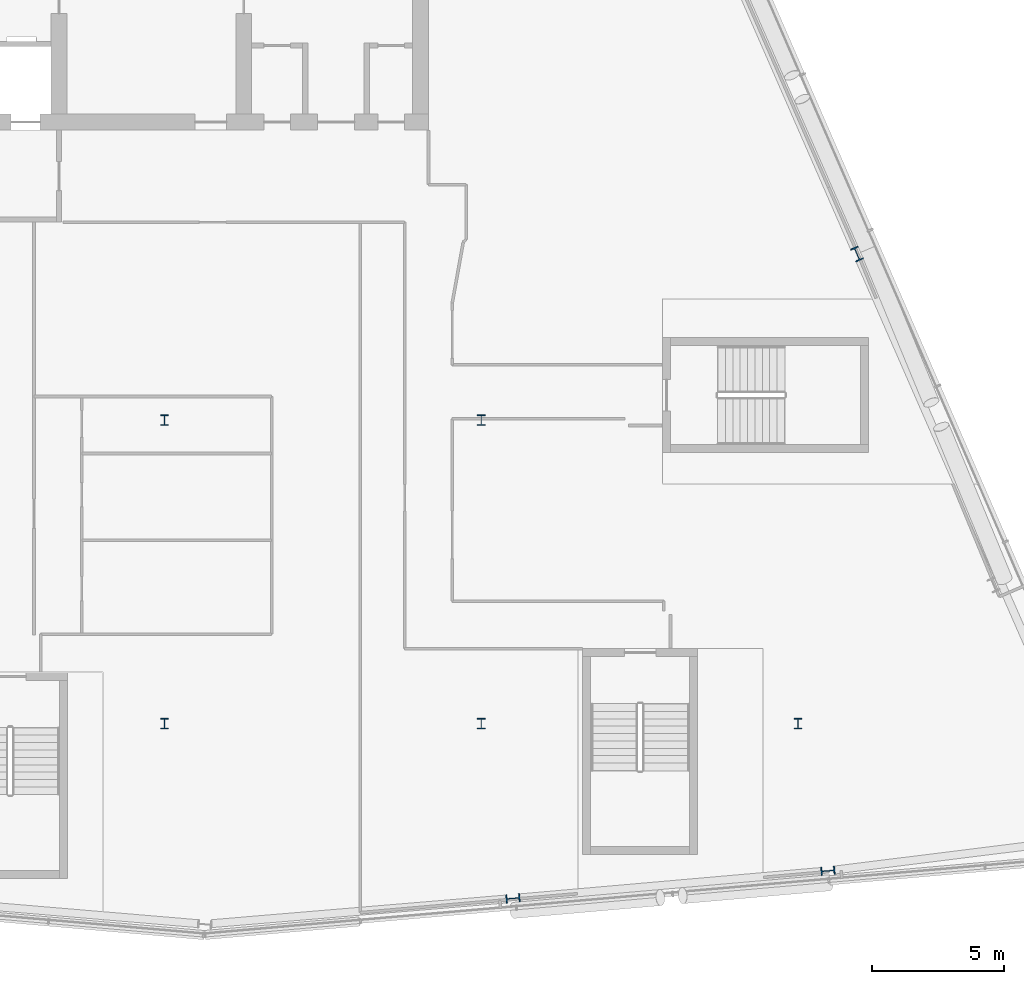
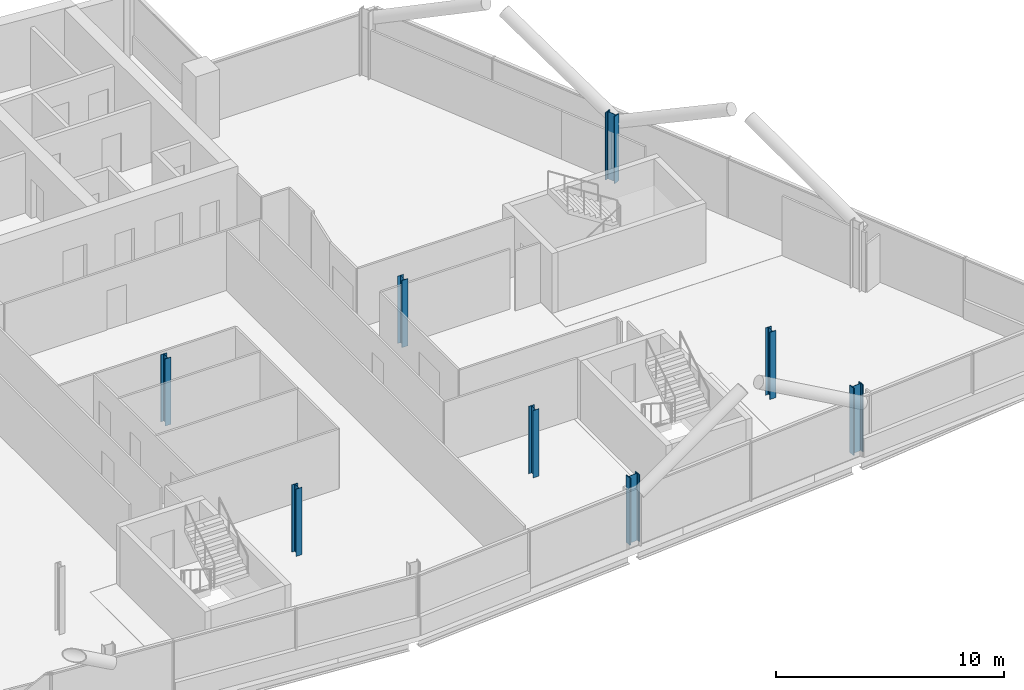
# One storey, part 2 of 25: 8 columns.
"""IFC4 building model written with IfcOpenShell, lengths in metres."""

import ifcopenshell
import ifcopenshell.guid

model = None  # the IFC model being written
_history = None  # IfcOwnerHistory: only IFC2X3 demands one
_inside = {}  # id of a spatial element -> (the spatial element, [elements in it])
_under = {}  # id of a project, library or spatial element -> (it, [spatial elements below it])
_declared = {}  # id of a project -> (the project, [libraries it declares])
_typed = {}  # id of a type object -> (the type object, [elements of that type])
_made_of = {}  # id of a material, layer set ... -> (it, [elements and type objects made of it])


def new_model(schema):
    """Start an empty IFC model of exactly this schema.

    Asked for "IFC4X3", IfcOpenShell would pick the latest addendum, in which some entities
    have other attributes; the version numbers below select the first issue.
    IFC2X3 requires an IfcOwnerHistory on every rooted entity: one is made here for all.
    """
    global model, _history
    if schema == "IFC4X3":
        model = ifcopenshell.file(schema_version=(4, 3, 0, 0))
    else:
        model = ifcopenshell.file(schema=schema)
    _inside.clear()
    _under.clear()
    _declared.clear()
    _typed.clear()
    _made_of.clear()
    _history = None
    if model.schema == "IFC2X3":
        org = make("IfcOrganization", Name="unknown")
        user = make(
            "IfcPersonAndOrganization",
            ThePerson=make("IfcPerson", FamilyName="unknown"),
            TheOrganization=org,
        )
        app = make(
            "IfcApplication",
            ApplicationDeveloper=org,
            Version="unknown",
            ApplicationFullName="unknown",
            ApplicationIdentifier="unknown",
        )
        _history = make(
            "IfcOwnerHistory",
            OwningUser=user,
            OwningApplication=app,
            ChangeAction="ADDED",
            CreationDate=0,
        )
    return model


def make(cls, **values):
    """One entity of the class cls with the attributes given. An attribute that is None is left unset."""
    return model.create_entity(
        cls, **{name: value for name, value in values.items() if value is not None}
    )


def rooted(cls, **values):
    """An entity with a GlobalId (a new one), such as an element, a storey or a relation."""
    return make(cls, GlobalId=ifcopenshell.guid.new(), OwnerHistory=_history, **values)


def si_unit(unit_type, name, prefix=None):
    """IfcSIUnit, for example si_unit("LENGTHUNIT", "METRE", prefix="MILLI")."""
    return make("IfcSIUnit", UnitType=unit_type, Prefix=prefix, Name=name)


def assignment(units):
    """IfcUnitAssignment: the units of a project."""
    return None if units is None else make("IfcUnitAssignment", Units=units)


def point(xyz):
    """IfcCartesianPoint."""
    return None if xyz is None else make("IfcCartesianPoint", Coordinates=xyz)


def direction(xyz):
    """IfcDirection."""
    return None if xyz is None else make("IfcDirection", DirectionRatios=xyz)


def frame(location, z_axis=None, x_axis=None):
    """IfcAxis2Placement3D, a coordinate frame: its origin and axes. An axis left out is left unset."""
    return make(
        "IfcAxis2Placement3D",
        Location=point(location),
        Axis=direction(z_axis),
        RefDirection=direction(x_axis),
    )


def frame_2d(location, x_axis=None):
    """IfcAxis2Placement2D, a coordinate frame in the plane: its origin and x axis."""
    return make(
        "IfcAxis2Placement2D", Location=point(location), RefDirection=direction(x_axis)
    )


def origin():
    """The frame at (0, 0, 0) with its axes left unset."""
    return frame((0.0, 0.0, 0.0))


def origin_2d():
    """The frame at (0, 0) in the plane with its x axis left unset."""
    return frame_2d((0.0, 0.0))


def place(relative_to, where):
    """IfcLocalPlacement: puts the frame where relative to a parent placement (None: the world)."""
    return make(
        "IfcLocalPlacement", PlacementRelTo=relative_to, RelativePlacement=where
    )


def context(
    kind, dimensions, precision=None, world=None, true_north=None, identifier=None
):
    """IfcGeometricRepresentationContext, for example the 3D "Model" context."""
    return make(
        "IfcGeometricRepresentationContext",
        ContextIdentifier=identifier,
        ContextType=kind,
        CoordinateSpaceDimension=dimensions,
        Precision=precision,
        WorldCoordinateSystem=world,
        TrueNorth=true_north,
    )


def subcontext(parent, identifier, kind, view, scale=None):
    """IfcGeometricRepresentationSubContext, for example "Body" below "Model"."""
    return make(
        "IfcGeometricRepresentationSubContext",
        ContextIdentifier=identifier,
        ContextType=kind,
        ParentContext=parent,
        TargetScale=scale,
        TargetView=view,
    )


def project(units=None, contexts=None):
    """IfcProject with its units and contexts."""
    return rooted(
        "IfcProject",
        Name="project",
        RepresentationContexts=contexts,
        UnitsInContext=assignment(units),
    )


def spatial(cls, under=None, at=None, **own):
    """A site, building, storey or space (cls), placed at a placement, below another one or the project."""
    s = rooted(cls, ObjectPlacement=at, **own)
    if under is not None:
        _under.setdefault(under.id(), (under, []))[1].append(s)
    return s


def profile(cls, at=None, kind="AREA", **sizes):
    """A parametric profile (cls). Its sizes go by their IFC names, for example OverallWidth=200.0."""
    return make(cls, ProfileType=kind, Position=at, **sizes)


def i_section(**sizes):
    """IfcIShapeProfileDef."""
    return profile("IfcIShapeProfileDef", **sizes)


def extrude(swept, where, along, depth):
    """IfcExtrudedAreaSolid: the profile swept, set in the frame where, extruded along a direction by depth."""
    return make(
        "IfcExtrudedAreaSolid",
        SweptArea=swept,
        Position=where,
        ExtrudedDirection=direction(along),
        Depth=depth,
    )


def shape(context_of_items, identifier, shape_type, items):
    """IfcShapeRepresentation: the items that make up one representation, for example the "Body"."""
    return make(
        "IfcShapeRepresentation",
        ContextOfItems=context_of_items,
        RepresentationIdentifier=identifier,
        RepresentationType=shape_type,
        Items=items,
    )


def material(Name=None, Category=None):
    """IfcMaterial."""
    return make("IfcMaterial", Name=Name, Category=Category)


def material_profile(
    of_material, cross_section, Name=None, Category=None, Priority=None
):
    """IfcMaterialProfile: a cross section and its material."""
    return make(
        "IfcMaterialProfile",
        Name=Name,
        Material=of_material,
        Profile=cross_section,
        Priority=Priority,
        Category=Category,
    )


def profile_set(profiles, Name=None, composite=None):
    """IfcMaterialProfileSet."""
    return make(
        "IfcMaterialProfileSet",
        Name=Name,
        MaterialProfiles=profiles,
        CompositeProfile=composite,
    )


def made_of(thing, what):
    """Note that an element or type object is made of a material, layer set ...; save() writes the relation."""
    if what is not None:
        _made_of.setdefault(what.id(), (what, []))[1].append(thing)
    return thing


def type_object(cls, material=None, **own):
    """A type object (cls), such as IfcWallType, which elements share."""
    return made_of(rooted(cls, **own), material)


def element(
    cls,
    number,
    at=None,
    inside=None,
    cuts=None,
    type_object=None,
    material=None,
    context=None,
    identifier="Body",
    shape_type=None,
    held_by="IfcProductDefinitionShape",
    body=None,
    shapes=None,
    **own,
):
    """One element of the class cls, such as IfcWall. Its Tag is "e" and its number.

    at: its placement. inside: the storey or other place that contains it. cuts: it is an
    opening in that element (IfcRelVoidsElement). A single representation is given by context,
    identifier, shape_type and body (its items); several are given by shapes. held_by: the class
    of the entity that holds the representations. save() writes the other relations.
    """
    e = rooted(cls, Tag="e%d" % number, ObjectPlacement=at, **own)
    if body is not None:
        shapes = [shape(context, identifier, shape_type, body)]
    if shapes is not None:
        e.Representation = make(held_by, Representations=shapes)
    if inside is not None:
        _inside.setdefault(inside.id(), (inside, []))[1].append(e)
    if cuts is not None:
        rooted(
            "IfcRelVoidsElement", RelatingBuildingElement=cuts, RelatedOpeningElement=e
        )
    if type_object is not None:
        _typed.setdefault(type_object.id(), (type_object, []))[1].append(e)
    return made_of(e, material)


def aggregate(whole, parts):
    """IfcRelAggregates: a whole, such as a stair, and the parts it consists of."""
    return rooted("IfcRelAggregates", RelatingObject=whole, RelatedObjects=parts)


def save(model, path):
    """Write the relations noted so far, then the file.

    IfcRelAggregates (storeys below a building ...), IfcRelContainedInSpatialStructure (elements
    in a storey), IfcRelDefinesByType, IfcRelAssociatesMaterial and IfcRelDeclares: one each for
    every whole, place, type object, material and project.
    """
    for whole, parts in _under.values():
        aggregate(whole, parts)
    for where, things in _inside.values():
        rooted(
            "IfcRelContainedInSpatialStructure",
            RelatedElements=things,
            RelatingStructure=where,
        )
    for kind, things in _typed.values():
        rooted("IfcRelDefinesByType", RelatedObjects=things, RelatingType=kind)
    for what, things in _made_of.values():
        rooted("IfcRelAssociatesMaterial", RelatedObjects=things, RelatingMaterial=what)
    for by, libraries in _declared.values():
        rooted("IfcRelDeclares", RelatingContext=by, RelatedDefinitions=libraries)
    model.write(path)


model = new_model("IFC4")

# Units and contexts
model_context = context("Model", 3, precision=1e-05, world=origin(), true_north=direction((0.0, 1.0)))
body_context = subcontext(model_context, "Body", "Model", "MODEL_VIEW")
ifc_project = project(units=[si_unit("LENGTHUNIT", "METRE"), si_unit("AREAUNIT", "SQUARE_METRE"), si_unit("VOLUMEUNIT", "CUBIC_METRE"), si_unit("PLANEANGLEUNIT", "RADIAN"), si_unit("MASSUNIT", "GRAM", prefix="KILO")], contexts=[model_context])

# Site, building, storey
site_placement = place(None, origin())
site = spatial("IfcSite", under=ifc_project, at=site_placement, CompositionType="ELEMENT")
building_placement = place(site_placement, origin())
building = spatial("IfcBuilding", under=site, at=building_placement, Name="Wharfspan Tower", CompositionType="ELEMENT")
storey_placement = place(building_placement, frame((0.0, 0.0, 239.5)))
storey = spatial("IfcBuildingStorey", under=building, at=storey_placement, Name="L60", CompositionType="ELEMENT", Elevation=239.5)

# Columns
ifc_material = material(Name="Steel S355J2", Category="steel")
ifc_material_profile_1 = material_profile(ifc_material, i_section(OverallWidth=0.300049, OverallDepth=0.399902, WebThickness=0.013428, FlangeThickness=0.023926, FilletRadius=0.0271, at=origin_2d()))
ifc_profile_set_1 = profile_set([ifc_material_profile_1], Name="Steel S355J2")
column_type_1 = type_object("IfcColumnType", Name="Column HEB 400", PredefinedType="COLUMN", material=ifc_profile_set_1)
for number, where, z_axis, x_axis, name in (
    (1, (48.0, 11.5, 0.0), (0.0, 0.0, 1.0), (1.0, 0.0, 0.0), "Interior column I.1.3 L60"),
    (2, (60.0, 11.5, 0.0), (0.0, 0.0, 1.0), (1.0, 0.0, 0.0), "Interior column I.1.4 L60"),
    (3, (72.0, 11.5, 0.0), (0.0, 0.0, 1.0), (1.0, 0.0, 0.0), "Interior column I.1.5 L60"),
    (4, (48.0, 23.0, 0.0), (0.0, 0.0, 1.0), (1.0, 0.0, 0.0), "Interior column I.2.3 L60"),
    (5, (60.0, 23.0, 0.0), (0.0, 0.0, 1.0), (1.0, 0.0, 0.0), "Interior column I.2.4 L60"),
):
    element("IfcColumn", number, at=place(storey_placement, frame(where, z_axis=z_axis, x_axis=x_axis)), inside=storey, type_object=column_type_1, Name=name, PredefinedType="COLUMN", context=body_context, shape_type="SweptSolid", body=[
        extrude(i_section(OverallWidth=0.300049, OverallDepth=0.399902, WebThickness=0.013428, FlangeThickness=0.023926, FilletRadius=0.0271, at=origin_2d()), origin(), (0.0, 0.0, 1.0), 3.600098),
    ])
ifc_material_profile_2 = material_profile(ifc_material, i_section(OverallWidth=0.305908, OverallDepth=0.523926, WebThickness=0.020996, FlangeThickness=0.040039, FilletRadius=0.0271, at=origin_2d()))
ifc_profile_set_2 = profile_set([ifc_material_profile_2], Name="Steel S355J2")
column_type_2 = type_object("IfcColumnType", Name="Column HEM 500", PredefinedType="COLUMN", material=ifc_profile_set_2)
for number, where, z_axis, x_axis, name in (
    (6, (61.202393, 4.879395, 0.0), (0.0, 0.0, 1.0), (0.087156, -0.996197, 0.0), "Perimeter column PS2.1 L60"),
    (7, (73.135254, 5.92334, 0.0), (0.0, 0.0, 1.0), (0.087156, -0.996197, 0.0), "Perimeter column PS2.2 L60"),
    (8, (74.235352, 29.294922, 0.0), (0.0, 0.0, 1.0), (0.917072, 0.398727, 0.0), "Perimeter column PE.2 L60"),
):
    element("IfcColumn", number, at=place(storey_placement, frame(where, z_axis=z_axis, x_axis=x_axis)), inside=storey, type_object=column_type_2, Name=name, PredefinedType="COLUMN", context=body_context, shape_type="SweptSolid", body=[
        extrude(i_section(OverallWidth=0.305908, OverallDepth=0.523926, WebThickness=0.020996, FlangeThickness=0.040039, FilletRadius=0.0271, at=origin_2d()), origin(), (0.0, 0.0, 1.0), 3.600098),
    ])

save(model, "model.ifc")
